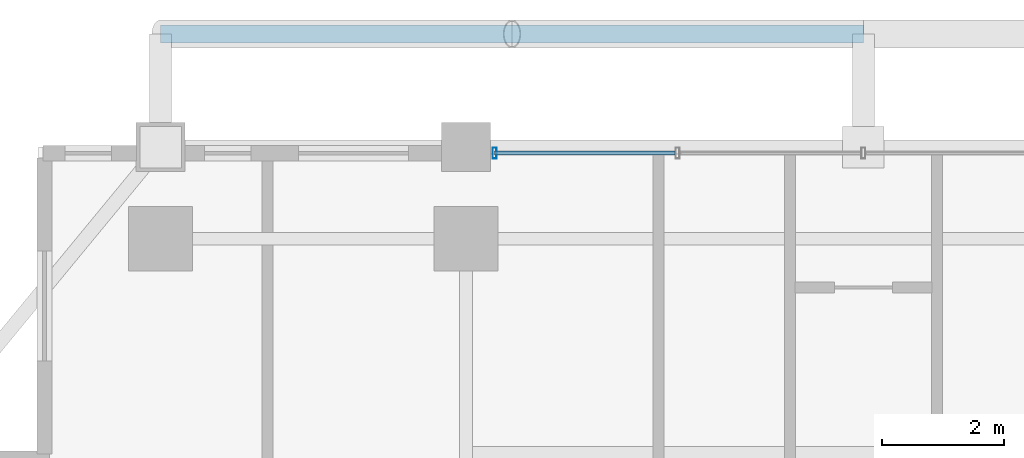
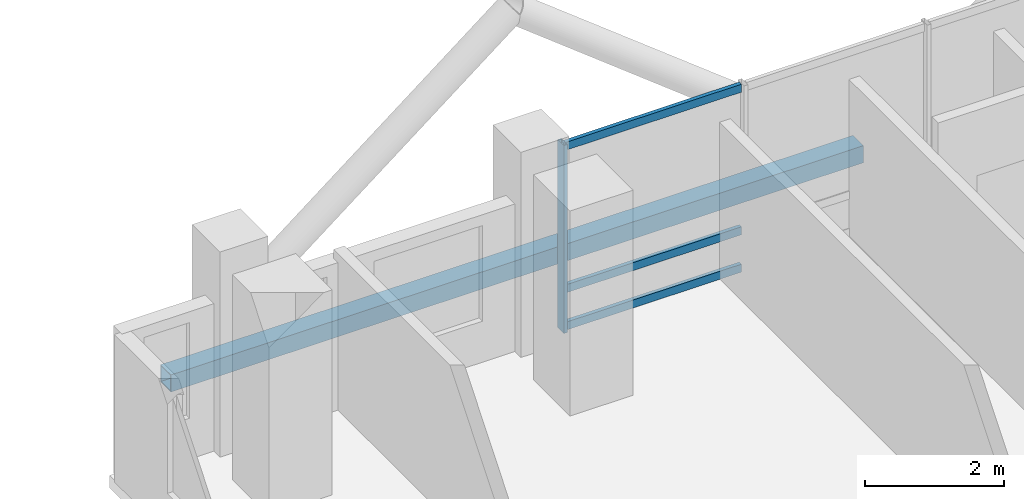
# One storey, part 15 of 25: 5 members, 1 element without a shape of its own.
"""IFC4 building model written with IfcOpenShell, lengths in metres."""

from ifc_helpers import new_model, si_unit, direction, frame, origin, origin_2d, place, context, subcontext, project, spatial, hollow_rectangle, extrude, material, layer, layer_set, material_profile, profile_set, type_object, element, aggregate, save


model = new_model("IFC4")

# Units and contexts
model_context = context("Model", 3, precision=1e-05, world=origin(), true_north=direction((0.0, 1.0)))
body_context = subcontext(model_context, "Body", "Model", "MODEL_VIEW")
ifc_project = project(units=[si_unit("LENGTHUNIT", "METRE"), si_unit("AREAUNIT", "SQUARE_METRE"), si_unit("VOLUMEUNIT", "CUBIC_METRE"), si_unit("PLANEANGLEUNIT", "RADIAN"), si_unit("MASSUNIT", "GRAM", prefix="KILO")], contexts=[model_context])

# Site, building, storey
site_placement = place(None, origin())
site = spatial("IfcSite", under=ifc_project, at=site_placement, CompositionType="ELEMENT")
building_placement = place(site_placement, origin())
building = spatial("IfcBuilding", under=site, at=building_placement, Name="Barlavira Tower and Art Museum", CompositionType="ELEMENT")
storey_placement = place(building_placement, frame((0.0, 0.0, 208.800048828125)))
storey = spatial("IfcBuildingStorey", under=building, at=storey_placement, Name="L54", CompositionType="ELEMENT", Elevation=208.800048828125)

# Curtain wall, members
ifc_material_1 = material(Name="Low-iron coastal laminated glass", Category="glass")
ifc_layer = layer(ifc_material_1, 0.199951171875, Name="Low-iron coastal laminated glass")
ifc_layer_set = layer_set([ifc_layer], Name="Low-iron coastal laminated glass")
curtain_wall_type = type_object("IfcCurtainWallType", Name="Pale-Metal Unitised Curtain Wall Zone 3", PredefinedType="NOTDEFINED", material=ifc_layer_set)
curtain_wall_placement = place(storey_placement, origin())
curtain_wall = element("IfcCurtainWall", 1, at=curtain_wall_placement, inside=storey, type_object=curtain_wall_type, Name="L54 Curtain Wall CW3-L54-N-B3", PredefinedType="NOTDEFINED")
ifc_material_2 = material(Name="Pale anodised aluminium", Category="aluminium")
ifc_material_profile_1 = material_profile(ifc_material_2, hollow_rectangle(XDim=0.06494140625, YDim=0.179931640625, WallThickness=0.00390625, at=origin_2d()), Name="ALU-MULL 65x180x4")
ifc_profile_set_1 = profile_set([ifc_material_profile_1], Name="Pale anodised aluminium")
member_type_1 = type_object("IfcMemberType", Name="Curtain Wall Pale-Metal Mullion 65x180", PredefinedType="MULLION", material=ifc_profile_set_1)
member_1_placement = place(storey_placement, frame((-6.034912109375, 21.39990234375, 0.0), z_axis=(0.0, 0.0, 1.0), x_axis=(-1.0, 0.0, 0.0)))
member_1 = element("IfcMember", 2, at=member_1_placement, type_object=member_type_1, Name="CW3-L54-N-B3 Mullion 4", PredefinedType="MULLION", context=body_context, shape_type="SweptSolid", body=[
    extrude(hollow_rectangle(XDim=0.06494140625, YDim=0.179931640625, WallThickness=0.00390625, at=origin_2d()), origin(), (0.0, 0.0, 1.0), 3.300048828125),
])
ifc_material_profile_2 = material_profile(ifc_material_2, hollow_rectangle(XDim=0.06494140625, YDim=0.139892578125, WallThickness=0.00390625, at=origin_2d()), Name="ALU-TRAN 65x140x4")
ifc_profile_set_2 = profile_set([ifc_material_profile_2], Name="Pale anodised aluminium")
member_type_2 = type_object("IfcMemberType", Name="Curtain Wall Pale-Metal Transom 65x140", PredefinedType="USERDEFINED", material=ifc_profile_set_2)
member_2_placement = place(storey_placement, frame((-3.0849609375, 21.39990234375, 0.070068359375), z_axis=(-1.0, 0.0, 0.0), x_axis=(0.0, -1.0, 0.0)))
member_2 = element("IfcMember", 3, at=member_2_placement, type_object=member_type_2, Name="CW3-L54-N-B3 Transom 3.1", ObjectType="TRANSOM", PredefinedType="USERDEFINED", context=body_context, shape_type="SweptSolid", body=[
    extrude(hollow_rectangle(XDim=0.06494140625, YDim=0.139892578125, WallThickness=0.00390625, at=origin_2d()), origin(), (0.0, 0.0, 1.0), 2.949951171875),
])
member_3_placement = place(storey_placement, frame((-3.0849609375, 21.39990234375, 0.725830078125), z_axis=(-1.0, 0.0, 0.0), x_axis=(0.0, -1.0, 0.0)))
member_3 = element("IfcMember", 4, at=member_3_placement, type_object=member_type_2, Name="CW3-L54-N-B3 Transom 3.2", ObjectType="TRANSOM", PredefinedType="USERDEFINED", context=body_context, shape_type="SweptSolid", body=[
    extrude(hollow_rectangle(XDim=0.06494140625, YDim=0.139892578125, WallThickness=0.00390625, at=origin_2d()), origin(), (0.0, 0.0, 1.0), 2.949951171875),
])
member_4_placement = place(storey_placement, frame((-3.0849609375, 21.39990234375, 3.22998046875), z_axis=(-1.0, 0.0, 0.0), x_axis=(0.0, -1.0, 0.0)))
member_4 = element("IfcMember", 5, at=member_4_placement, type_object=member_type_2, Name="CW3-L54-N-B3 Transom 3.3", ObjectType="TRANSOM", PredefinedType="USERDEFINED", context=body_context, shape_type="SweptSolid", body=[
    extrude(hollow_rectangle(XDim=0.06494140625, YDim=0.139892578125, WallThickness=0.00390625, at=origin_2d()), origin(), (0.0, 0.0, 1.0), 2.949951171875),
])
aggregate(curtain_wall, [member_1, member_2, member_3, member_4])

# Member
ifc_material_3 = material(Name="Steel S355", Category="steel")
ifc_material_profile_3 = material_profile(ifc_material_3, hollow_rectangle(XDim=0.300048828125, YDim=0.300048828125, WallThickness=0.01611328125, at=origin_2d()), Name="SHS 300x300x16.0")
ifc_profile_set_3 = profile_set([ifc_material_profile_3], Name="Steel S355")
member_type_3 = type_object("IfcMemberType", Name="Pale-Metal Upper Ring Strut SHS 300x300x16 Steel S355", PredefinedType="STRUT", material=ifc_profile_set_3)
member_5_placement = place(storey_placement, frame((-11.5, 23.35009765625, -0.1201171875), z_axis=(1.0, 0.0, 0.0), x_axis=(0.0, 1.0, 0.0)))
element("IfcMember", 6, at=member_5_placement, inside=storey, type_object=member_type_3, Name="L54 Exoskeleton Ring Strut N", PredefinedType="STRUT", context=body_context, shape_type="SweptSolid", body=[
    extrude(hollow_rectangle(XDim=0.300048828125, YDim=0.300048828125, WallThickness=0.01611328125, at=origin_2d()), origin(), (0.0, 0.0, 1.0), 11.5),
])

save(model, "model.ifc")
